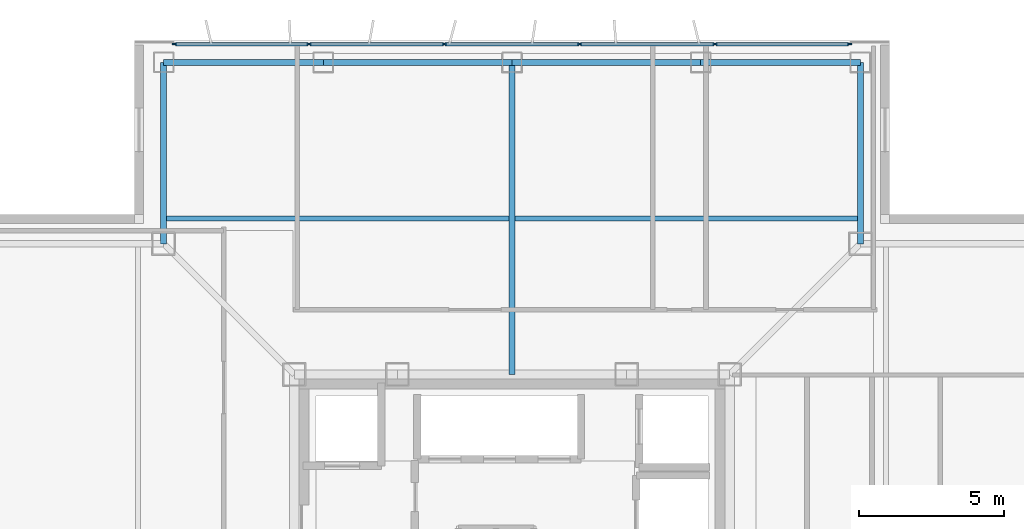
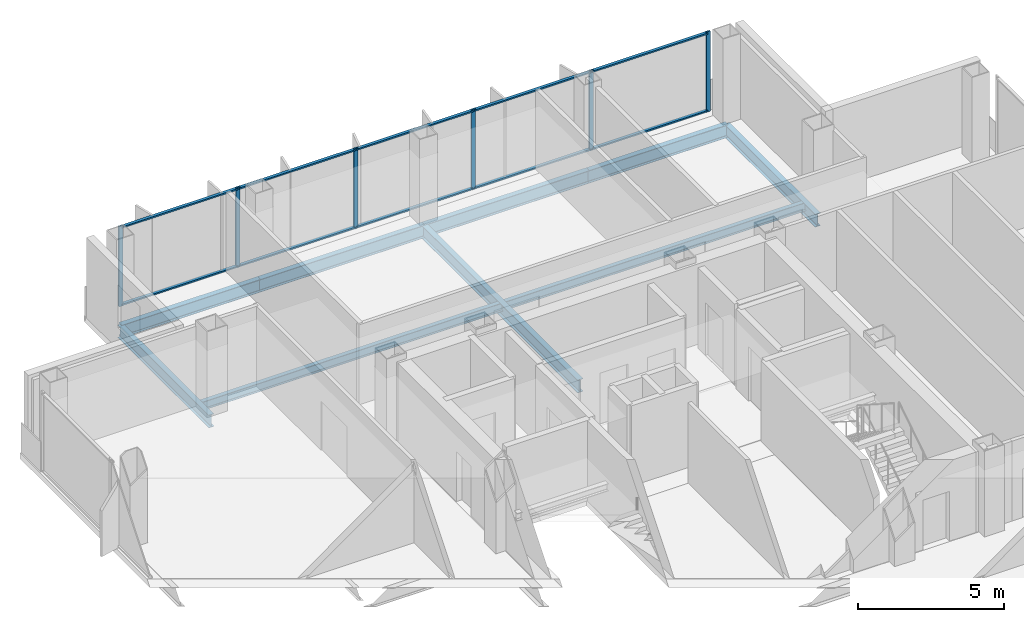
# One storey, part 6 of 15: 16 members, 8 beams, 1 element without a shape of its own.
"""IFC4 building model written with IfcOpenShell, lengths in metres."""

from ifc_helpers import new_model, si_unit, direction, frame, origin, origin_2d, place, context, subcontext, project, spatial, rectangle, i_section, extrude, material, layer, layer_set, material_profile, profile_set, type_object, element, aggregate, save


model = new_model("IFC4")

# Units and contexts
model_context = context("Model", 3, precision=1e-05, world=origin(), true_north=direction((0.0, 1.0)))
body_context = subcontext(model_context, "Body", "Model", "MODEL_VIEW")
ifc_project = project(units=[si_unit("LENGTHUNIT", "METRE"), si_unit("AREAUNIT", "SQUARE_METRE"), si_unit("VOLUMEUNIT", "CUBIC_METRE"), si_unit("PLANEANGLEUNIT", "RADIAN"), si_unit("MASSUNIT", "GRAM", prefix="KILO")], contexts=[model_context])

# Site, building, storey
site_placement = place(None, origin())
site = spatial("IfcSite", under=ifc_project, at=site_placement, CompositionType="ELEMENT")
building_placement = place(site_placement, origin())
building = spatial("IfcBuilding", under=site, at=building_placement, Name="Trevonay Congress Spire", CompositionType="ELEMENT")
storey_placement = place(building_placement, frame((0.0, 0.0, 261.199951171875)))
storey = spatial("IfcBuildingStorey", under=building, at=storey_placement, Name="L68", CompositionType="ELEMENT", Elevation=261.199951171875)

# Beams
ifc_material_1 = material(Name="Steel ASTM A572 Grade 50", Category="steel")
ifc_material_profile_1 = material_profile(ifc_material_1, i_section(OverallWidth=0.2119140625, OverallDepth=0.5439453125, WebThickness=0.01318359375, FlangeThickness=0.021240234375, FilletRadius=0.014892578125, at=origin_2d()), Name="W530x123")
ifc_profile_set_1 = profile_set([ifc_material_profile_1], Name="Steel ASTM A572 Grade 50")
beam_type_1 = type_object("IfcBeamType", Name="BM-GIRD-W530X123", PredefinedType="BEAM", material=ifc_profile_set_1)
beam_1_placement = place(storey_placement, frame((0.0, 7.5, -0.511962890625), z_axis=(0.0, 1.0, 0.0), x_axis=(-1.0, 0.0, 0.0)))
element("IfcBeam", 1, at=beam_1_placement, inside=storey, type_object=beam_type_1, Name="L68 structural beam BM-L68-GC-N", PredefinedType="BEAM", context=body_context, shape_type="SweptSolid", body=[
    extrude(i_section(OverallWidth=0.2119140625, OverallDepth=0.5439453125, WebThickness=0.01318359375, FlangeThickness=0.021240234375, FilletRadius=0.014892578125, at=origin_2d()), origin(), (0.0, 0.0, 1.0), 10.75),
])
ifc_material_profile_2 = material_profile(ifc_material_1, i_section(OverallWidth=0.208984375, OverallDepth=0.532958984375, WebThickness=0.01025390625, FlangeThickness=0.015625, FilletRadius=0.014892578125, at=origin_2d()), Name="W530x92")
ifc_profile_set_2 = profile_set([ifc_material_profile_2], Name="Steel ASTM A572 Grade 50")
beam_type_2 = type_object("IfcBeamType", Name="BM-RING-W530X92", PredefinedType="BEAM", material=ifc_profile_set_2)
beam_2_placement = place(storey_placement, frame((-12.0, 18.25, -0.50634765625), z_axis=(1.0, 0.0, 0.0), x_axis=(0.0, 1.0, 0.0)))
element("IfcBeam", 2, at=beam_2_placement, inside=storey, type_object=beam_type_2, Name="L68 structural beam BM-L68-PN1", PredefinedType="BEAM", context=body_context, shape_type="SweptSolid", body=[
    extrude(i_section(OverallWidth=0.208984375, OverallDepth=0.532958984375, WebThickness=0.01025390625, FlangeThickness=0.015625, FilletRadius=0.014892578125, at=origin_2d()), origin(), (0.0, 0.0, 1.0), 5.5),
])
for number, where, z_axis, x_axis, name in (
    (3, (-6.5, 18.25, -0.50634765625), (1.0, 0.0, 0.0), (0.0, 1.0, 0.0), "L68 structural beam BM-L68-PN2"),
    (4, (0.0, 18.25, -0.50634765625), (1.0, 0.0, 0.0), (0.0, 1.0, 0.0), "L68 structural beam BM-L68-PN3"),
):
    element("IfcBeam", number, at=place(storey_placement, frame(where, z_axis=z_axis, x_axis=x_axis)), inside=storey, type_object=beam_type_2, Name=name, PredefinedType="BEAM", context=body_context, shape_type="SweptSolid", body=[
        extrude(i_section(OverallWidth=0.208984375, OverallDepth=0.532958984375, WebThickness=0.01025390625, FlangeThickness=0.015625, FilletRadius=0.014892578125, at=origin_2d()), origin(), (0.0, 0.0, 1.0), 6.5),
    ])
beam_3_placement = place(storey_placement, frame((6.5, 18.25, -0.50634765625), z_axis=(1.0, 0.0, 0.0), x_axis=(0.0, 1.0, 0.0)))
element("IfcBeam", 5, at=beam_3_placement, inside=storey, type_object=beam_type_2, Name="L68 structural beam BM-L68-PN4", PredefinedType="BEAM", context=body_context, shape_type="SweptSolid", body=[
    extrude(i_section(OverallWidth=0.208984375, OverallDepth=0.532958984375, WebThickness=0.01025390625, FlangeThickness=0.015625, FilletRadius=0.014892578125, at=origin_2d()), origin(), (0.0, 0.0, 1.0), 5.5),
])
for number, where, z_axis, x_axis, name in (
    (6, (12.0, 18.25, -0.50634765625), (0.0, -1.0, 0.0), (1.0, 0.0, 0.0), "L68 structural beam BM-L68-N1NE"),
    (7, (-12.0, 18.25, -0.50634765625), (0.0, -1.0, 0.0), (1.0, 0.0, 0.0), "L68 structural beam BM-L68-N1NW"),
):
    element("IfcBeam", number, at=place(storey_placement, frame(where, z_axis=z_axis, x_axis=x_axis)), inside=storey, type_object=beam_type_2, Name=name, PredefinedType="BEAM", context=body_context, shape_type="SweptSolid", body=[
        extrude(i_section(OverallWidth=0.208984375, OverallDepth=0.532958984375, WebThickness=0.01025390625, FlangeThickness=0.015625, FilletRadius=0.014892578125, at=origin_2d()), origin(), (0.0, 0.0, 1.0), 6.25),
    ])

# Curtain wall, members
ifc_material_2 = material(Name="Pale Anodised Aluminium EN AW-6063-T6", Category="aluminium")
ifc_layer = layer(ifc_material_2, 0.1650390625, Name="Pale Anodised Aluminium EN AW-6063-T6")
ifc_layer_set = layer_set([ifc_layer], Name="Pale Anodised Aluminium EN AW-6063-T6")
curtain_wall_type = type_object("IfcCurtainWallType", Name="CW-SYS05-DIPLOM-PALE-METAL", PredefinedType="NOTDEFINED", material=ifc_layer_set)
curtain_wall_placement = place(storey_placement, origin())
curtain_wall = element("IfcCurtainWall", 8, at=curtain_wall_placement, inside=storey, type_object=curtain_wall_type, Name="L68 N unitised curtain wall", PredefinedType="NOTDEFINED")
ifc_material_profile_3 = material_profile(ifc_material_2, rectangle(XDim=0.06005859375, YDim=0.159912109375, at=origin_2d()), Name="CW-MULLION-160-ALUMINIUM")
ifc_profile_set_3 = profile_set([ifc_material_profile_3], Name="Pale Anodised Aluminium EN AW-6063-T6")
member_type_1 = type_object("IfcMemberType", Name="CW-MULLION-160-ALUMINIUM", PredefinedType="MULLION", material=ifc_profile_set_3)
member_1_placement = place(storey_placement, frame((-11.6201171875, 18.8798828125, 0.0), z_axis=(0.0, 0.0, 1.0), x_axis=(0.0, 1.0, 0.0)))
member_1 = element("IfcMember", 9, at=member_1_placement, type_object=member_type_1, Name="CW05 mullion 1", PredefinedType="MULLION", context=body_context, shape_type="SweptSolid", body=[
    extrude(rectangle(XDim=0.06005859375, YDim=0.159912109375, at=origin_2d()), origin(), (0.0, 0.0, 1.0), 3.360107421875),
])
member_2_placement = place(storey_placement, frame((-6.989990234375, 18.8798828125, 0.0), z_axis=(0.0, 0.0, 1.0), x_axis=(0.0, 1.0, 0.0)))
member_2 = element("IfcMember", 10, at=member_2_placement, type_object=member_type_1, Name="CW05 mullion 2", PredefinedType="MULLION", context=body_context, shape_type="SweptSolid", body=[
    extrude(rectangle(XDim=0.06005859375, YDim=0.159912109375, at=origin_2d()), origin(), (0.0, 0.0, 1.0), 3.360107421875),
])
member_3_placement = place(storey_placement, frame((-2.330078125, 18.8798828125, 0.0), z_axis=(0.0, 0.0, 1.0), x_axis=(0.0, 1.0, 0.0)))
member_3 = element("IfcMember", 11, at=member_3_placement, type_object=member_type_1, Name="CW05 mullion 3", PredefinedType="MULLION", context=body_context, shape_type="SweptSolid", body=[
    extrude(rectangle(XDim=0.06005859375, YDim=0.159912109375, at=origin_2d()), origin(), (0.0, 0.0, 1.0), 3.360107421875),
])
member_4_placement = place(storey_placement, frame((2.330078125, 18.8798828125, 0.0), z_axis=(0.0, 0.0, 1.0), x_axis=(0.0, 1.0, 0.0)))
member_4 = element("IfcMember", 12, at=member_4_placement, type_object=member_type_1, Name="CW05 mullion 4", PredefinedType="MULLION", context=body_context, shape_type="SweptSolid", body=[
    extrude(rectangle(XDim=0.06005859375, YDim=0.159912109375, at=origin_2d()), origin(), (0.0, 0.0, 1.0), 3.360107421875),
])
member_5_placement = place(storey_placement, frame((6.989990234375, 18.8798828125, 0.0), z_axis=(0.0, 0.0, 1.0), x_axis=(0.0, 1.0, 0.0)))
member_5 = element("IfcMember", 13, at=member_5_placement, type_object=member_type_1, Name="CW05 mullion 5", PredefinedType="MULLION", context=body_context, shape_type="SweptSolid", body=[
    extrude(rectangle(XDim=0.06005859375, YDim=0.159912109375, at=origin_2d()), origin(), (0.0, 0.0, 1.0), 3.360107421875),
])
member_6_placement = place(storey_placement, frame((11.6201171875, 18.8798828125, 0.0), z_axis=(0.0, 0.0, 1.0), x_axis=(0.0, 1.0, 0.0)))
member_6 = element("IfcMember", 14, at=member_6_placement, type_object=member_type_1, Name="CW05 mullion 6", PredefinedType="MULLION", context=body_context, shape_type="SweptSolid", body=[
    extrude(rectangle(XDim=0.06005859375, YDim=0.159912109375, at=origin_2d()), origin(), (0.0, 0.0, 1.0), 3.360107421875),
])
ifc_material_profile_4 = material_profile(ifc_material_2, rectangle(XDim=0.1201171875, YDim=0.06005859375, at=origin_2d()), Name="CW-TRANSOM-120-ALUMINIUM")
ifc_profile_set_4 = profile_set([ifc_material_profile_4], Name="Pale Anodised Aluminium EN AW-6063-T6")
member_type_2 = type_object("IfcMemberType", Name="CW-TRANSOM-120-ALUMINIUM", PredefinedType="USERDEFINED", material=ifc_profile_set_4)
member_7_placement = place(storey_placement, frame((-11.590087890625, 18.8798828125, 0.06005859375), z_axis=(1.0, 0.0, 0.0), x_axis=(0.0, 1.0, 0.0)))
member_7 = element("IfcMember", 15, at=member_7_placement, type_object=member_type_2, Name="CW05 transom 1.1", ObjectType="TRANSOM", PredefinedType="USERDEFINED", context=body_context, shape_type="SweptSolid", body=[
    extrude(rectangle(XDim=0.1201171875, YDim=0.06005859375, at=origin_2d()), origin(), (0.0, 0.0, 1.0), 4.570068359375),
])
member_8_placement = place(storey_placement, frame((-11.590087890625, 18.8798828125, 3.300048828125), z_axis=(1.0, 0.0, 0.0), x_axis=(0.0, 1.0, 0.0)))
member_8 = element("IfcMember", 16, at=member_8_placement, type_object=member_type_2, Name="CW05 transom 1.2", ObjectType="TRANSOM", PredefinedType="USERDEFINED", context=body_context, shape_type="SweptSolid", body=[
    extrude(rectangle(XDim=0.1201171875, YDim=0.06005859375, at=origin_2d()), origin(), (0.0, 0.0, 1.0), 4.570068359375),
])
member_9_placement = place(storey_placement, frame((-6.9599609375, 18.8798828125, 0.06005859375), z_axis=(1.0, 0.0, 0.0), x_axis=(0.0, 1.0, 0.0)))
member_9 = element("IfcMember", 17, at=member_9_placement, type_object=member_type_2, Name="CW05 transom 2.1", ObjectType="TRANSOM", PredefinedType="USERDEFINED", context=body_context, shape_type="SweptSolid", body=[
    extrude(rectangle(XDim=0.1201171875, YDim=0.06005859375, at=origin_2d()), origin(), (0.0, 0.0, 1.0), 4.599853515625),
])
member_10_placement = place(storey_placement, frame((-6.9599609375, 18.8798828125, 3.300048828125), z_axis=(1.0, 0.0, 0.0), x_axis=(0.0, 1.0, 0.0)))
member_10 = element("IfcMember", 18, at=member_10_placement, type_object=member_type_2, Name="CW05 transom 2.2", ObjectType="TRANSOM", PredefinedType="USERDEFINED", context=body_context, shape_type="SweptSolid", body=[
    extrude(rectangle(XDim=0.1201171875, YDim=0.06005859375, at=origin_2d()), origin(), (0.0, 0.0, 1.0), 4.599853515625),
])
member_11_placement = place(storey_placement, frame((-2.300048828125, 18.8798828125, 0.06005859375), z_axis=(1.0, 0.0, 0.0), x_axis=(0.0, 1.0, 0.0)))
member_11 = element("IfcMember", 19, at=member_11_placement, type_object=member_type_2, Name="CW05 transom 3.1", ObjectType="TRANSOM", PredefinedType="USERDEFINED", context=body_context, shape_type="SweptSolid", body=[
    extrude(rectangle(XDim=0.1201171875, YDim=0.06005859375, at=origin_2d()), origin(), (0.0, 0.0, 1.0), 4.60009765625),
])
member_12_placement = place(storey_placement, frame((-2.300048828125, 18.8798828125, 3.300048828125), z_axis=(1.0, 0.0, 0.0), x_axis=(0.0, 1.0, 0.0)))
member_12 = element("IfcMember", 20, at=member_12_placement, type_object=member_type_2, Name="CW05 transom 3.2", ObjectType="TRANSOM", PredefinedType="USERDEFINED", context=body_context, shape_type="SweptSolid", body=[
    extrude(rectangle(XDim=0.1201171875, YDim=0.06005859375, at=origin_2d()), origin(), (0.0, 0.0, 1.0), 4.60009765625),
])
member_13_placement = place(storey_placement, frame((2.360107421875, 18.8798828125, 0.06005859375), z_axis=(1.0, 0.0, 0.0), x_axis=(0.0, 1.0, 0.0)))
member_13 = element("IfcMember", 21, at=member_13_placement, type_object=member_type_2, Name="CW05 transom 4.1", ObjectType="TRANSOM", PredefinedType="USERDEFINED", context=body_context, shape_type="SweptSolid", body=[
    extrude(rectangle(XDim=0.1201171875, YDim=0.06005859375, at=origin_2d()), origin(), (0.0, 0.0, 1.0), 4.599853515625),
])
member_14_placement = place(storey_placement, frame((2.360107421875, 18.8798828125, 3.300048828125), z_axis=(1.0, 0.0, 0.0), x_axis=(0.0, 1.0, 0.0)))
member_14 = element("IfcMember", 22, at=member_14_placement, type_object=member_type_2, Name="CW05 transom 4.2", ObjectType="TRANSOM", PredefinedType="USERDEFINED", context=body_context, shape_type="SweptSolid", body=[
    extrude(rectangle(XDim=0.1201171875, YDim=0.06005859375, at=origin_2d()), origin(), (0.0, 0.0, 1.0), 4.599853515625),
])
member_15_placement = place(storey_placement, frame((7.02001953125, 18.8798828125, 0.06005859375), z_axis=(1.0, 0.0, 0.0), x_axis=(0.0, 1.0, 0.0)))
member_15 = element("IfcMember", 23, at=member_15_placement, type_object=member_type_2, Name="CW05 transom 5.1", ObjectType="TRANSOM", PredefinedType="USERDEFINED", context=body_context, shape_type="SweptSolid", body=[
    extrude(rectangle(XDim=0.1201171875, YDim=0.06005859375, at=origin_2d()), origin(), (0.0, 0.0, 1.0), 4.570068359375),
])
member_16_placement = place(storey_placement, frame((7.02001953125, 18.8798828125, 3.300048828125), z_axis=(1.0, 0.0, 0.0), x_axis=(0.0, 1.0, 0.0)))
member_16 = element("IfcMember", 24, at=member_16_placement, type_object=member_type_2, Name="CW05 transom 5.2", ObjectType="TRANSOM", PredefinedType="USERDEFINED", context=body_context, shape_type="SweptSolid", body=[
    extrude(rectangle(XDim=0.1201171875, YDim=0.06005859375, at=origin_2d()), origin(), (0.0, 0.0, 1.0), 4.570068359375),
])
aggregate(curtain_wall, [member_1, member_2, member_3, member_4, member_5, member_6, member_7, member_8, member_9, member_10, member_11, member_12, member_13, member_14, member_15, member_16])

# Beam
ifc_material_profile_5 = material_profile(ifc_material_1, i_section(OverallWidth=0.172119140625, OverallDepth=0.35791015625, WebThickness=0.0078125, FlangeThickness=0.01318359375, FilletRadius=0.011962890625, at=origin_2d()), Name="W360x57.8")
ifc_profile_set_5 = profile_set([ifc_material_profile_5], Name="Steel ASTM A572 Grade 50")
beam_type_3 = type_object("IfcBeamType", Name="JS-COMP-W360X57", PredefinedType="JOIST", material=ifc_profile_set_5)
beam_4_placement = place(storey_placement, frame((-12.0, 12.875, -0.4189453125), z_axis=(1.0, 0.0, 0.0), x_axis=(0.0, 1.0, 0.0)))
element("IfcBeam", 25, at=beam_4_placement, inside=storey, type_object=beam_type_3, Name="L68 structural beam JS-L68-RING-N", PredefinedType="JOIST", context=body_context, shape_type="SweptSolid", body=[
    extrude(i_section(OverallWidth=0.172119140625, OverallDepth=0.35791015625, WebThickness=0.0078125, FlangeThickness=0.01318359375, FilletRadius=0.011962890625, at=origin_2d()), origin(), (0.0, 0.0, 1.0), 24.0),
])

save(model, "model.ifc")
